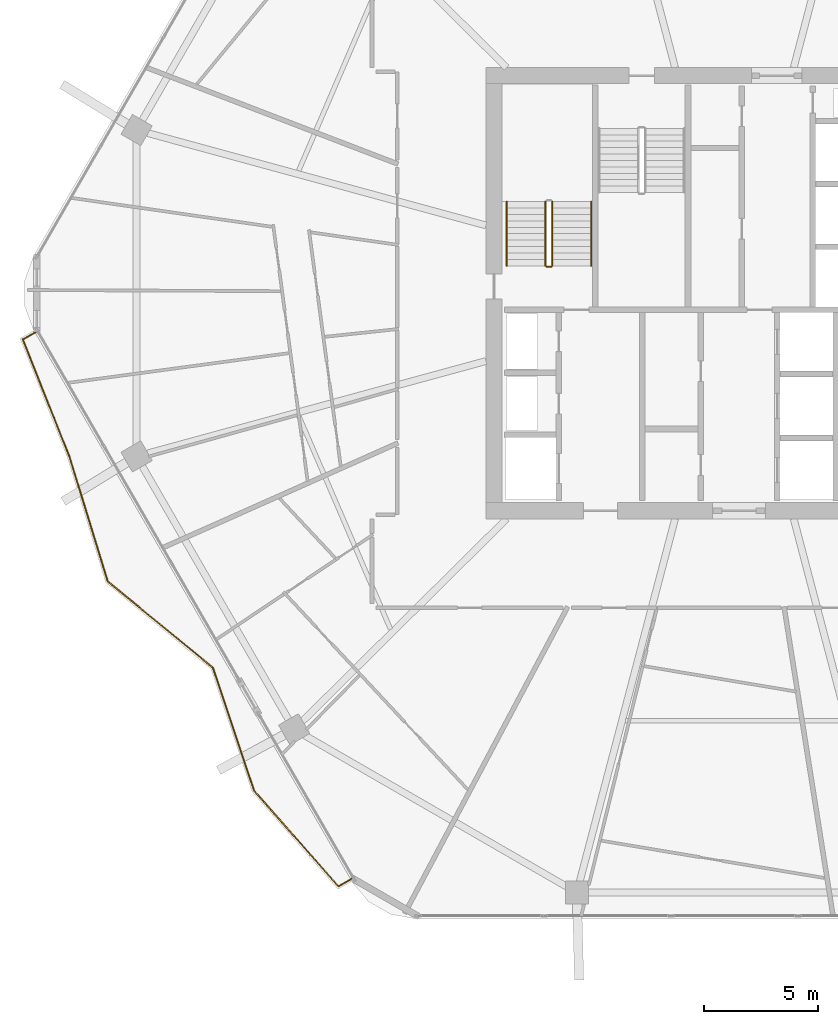
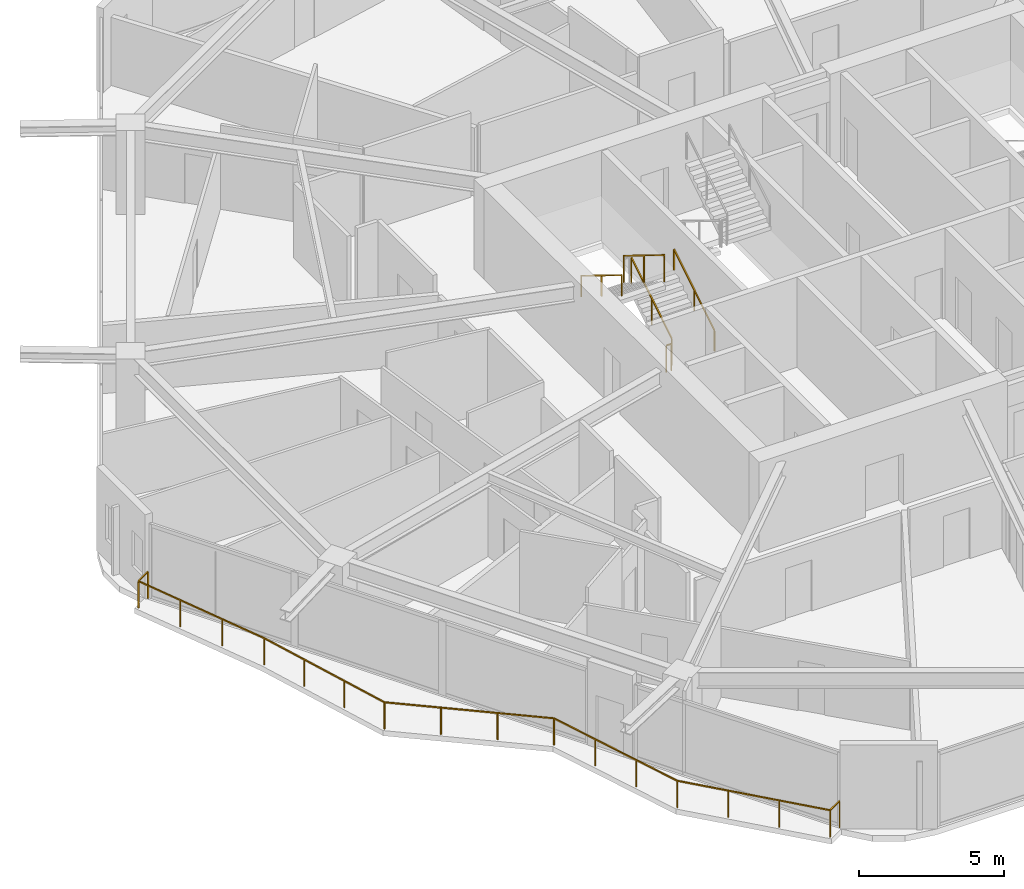
# One storey, part 23 of 25: 6 railings.
"""IFC4 building model written with IfcOpenShell, lengths in metres."""

from ifc_helpers import new_model, si_unit, direction, frame, origin, origin_2d, place, context, subcontext, project, spatial, rectangle, extrude, material, type_object, element, save


model = new_model("IFC4")

# Units and contexts
model_context = context("Model", 3, precision=1e-05, world=origin(), true_north=direction((0.0, 1.0)))
body_context = subcontext(model_context, "Body", "Model", "MODEL_VIEW")
ifc_project = project(units=[si_unit("LENGTHUNIT", "METRE"), si_unit("AREAUNIT", "SQUARE_METRE"), si_unit("VOLUMEUNIT", "CUBIC_METRE"), si_unit("PLANEANGLEUNIT", "RADIAN"), si_unit("MASSUNIT", "GRAM", prefix="KILO")], contexts=[model_context])

# Site, building, storey
site_placement = place(None, origin())
site = spatial("IfcSite", under=ifc_project, at=site_placement, CompositionType="ELEMENT")
building_placement = place(site_placement, origin())
building = spatial("IfcBuilding", under=site, at=building_placement, Name="Zuhravey Tower", CompositionType="ELEMENT")
storey_placement = place(building_placement, frame((0.0, 0.0, 180.800048828125)))
storey = spatial("IfcBuildingStorey", under=building, at=storey_placement, Name="L45", CompositionType="ELEMENT", Elevation=180.800048828125)

# Railings
ifc_material_1 = material(Name="Stainless steel 316 and laminated glass", Category="steel")
railing_type_1 = type_object("IfcRailingType", Name="Balcony & Terrace Guardrail 1150", PredefinedType="BALUSTRADE", material=ifc_material_1)
railing_1_placement = place(storey_placement, frame((19.280029296875, 6.423583984375, 0.0)))
element("IfcRailing", 1, at=railing_1_placement, inside=storey, type_object=railing_type_1, Name="L45 Face 4 Wave Balcony Guardrail GR1", PredefinedType="BALUSTRADE", context=body_context, shape_type="SweptSolid", body=[
    extrude(rectangle(XDim=0.048095703125, YDim=0.048095703125, at=origin_2d()), frame((-0.001708984375, -0.0009765625, 1.1259765625), z_axis=(-0.865950774653, -0.500129239174, 0.0), x_axis=(0.500129239174, -0.865950774653, 0.0)), (0.0, 0.0, 1.0), 0.654052734375),
    extrude(rectangle(XDim=0.048095703125, YDim=0.048095703125, at=origin_2d()), frame((-0.571044921875, -0.32763671875, 1.1259765625), z_axis=(-0.661768139209, 0.749708563328, 0.0), x_axis=(-0.749708563328, -0.661768139209, 0.0)), (0.0, 0.0, 1.0), 5.562255859375),
    extrude(rectangle(XDim=0.048095703125, YDim=0.048095703125, at=origin_2d()), frame((-4.254150390625, 3.845947265625, 1.1259765625), z_axis=(-0.318033222645, 0.948079569073, 0.0), x_axis=(-0.948079569073, -0.318033222645, 0.0)), (0.0, 0.0, 1.0), 5.673583984375),
    extrude(rectangle(XDim=0.048095703125, YDim=0.048095703125, at=origin_2d()), frame((-6.060546875, 9.22802734375, 1.1259765625), z_axis=(-0.773067681226, 0.634323545396, 0.0), x_axis=(-0.634323545396, -0.773067681226, 0.0)), (0.0, 0.0, 1.0), 5.931396484375),
    extrude(rectangle(XDim=0.048095703125, YDim=0.048095703125, at=origin_2d()), frame((-10.64794921875, 12.99365234375, 1.1259765625), z_axis=(-0.293795570332, 0.955868276936, 0.0), x_axis=(-0.955868276936, -0.293795570332, 0.0)), (0.0, 0.0, 1.0), 5.669921875),
    extrude(rectangle(XDim=0.048095703125, YDim=0.048095703125, at=origin_2d()), frame((-12.315185546875, 18.417236328125, 1.1259765625), z_axis=(-0.368955037235, 0.929447244602, 0.0), x_axis=(-0.929447244602, -0.368955037235, 0.0)), (0.0, 0.0, 1.0), 5.529296875),
    extrude(rectangle(XDim=0.048095703125, YDim=0.048095703125, at=origin_2d()), frame((-14.354248046875, 23.55908203125, 1.1259765625), z_axis=(0.866073599808, 0.499916512745, 0.0), x_axis=(-0.499916512745, 0.866073599808, 0.0)), (0.0, 0.0, 1.0), 0.6494140625),
    extrude(rectangle(XDim=0.0419921875, YDim=0.0419921875, at=origin_2d()), origin(), (0.0, 0.0, 1.0), 1.099853515625),
    extrude(rectangle(XDim=0.0419921875, YDim=0.0419921875, at=origin_2d()), frame((-0.56982421875, -0.3291015625, 0.0)), (0.0, 0.0, 1.0), 1.099853515625),
    extrude(rectangle(XDim=0.0419921875, YDim=0.0419921875, at=origin_2d()), frame((-1.797607421875, 1.06201171875, 0.0)), (0.0, 0.0, 1.0), 1.099853515625),
    extrude(rectangle(XDim=0.0419921875, YDim=0.0419921875, at=origin_2d()), frame((-3.025634765625, 2.452880859375, 0.0)), (0.0, 0.0, 1.0), 1.099853515625),
    extrude(rectangle(XDim=0.0419921875, YDim=0.0419921875, at=origin_2d()), frame((-4.25341796875, 3.843994140625, 0.0)), (0.0, 0.0, 1.0), 1.099853515625),
    extrude(rectangle(XDim=0.0419921875, YDim=0.0419921875, at=origin_2d()), frame((-4.855224609375, 5.63818359375, 0.0)), (0.0, 0.0, 1.0), 1.099853515625),
    extrude(rectangle(XDim=0.0419921875, YDim=0.0419921875, at=origin_2d()), frame((-5.457275390625, 7.4326171875, 0.0)), (0.0, 0.0, 1.0), 1.099853515625),
    extrude(rectangle(XDim=0.0419921875, YDim=0.0419921875, at=origin_2d()), frame((-6.05908203125, 9.226806640625, 0.0)), (0.0, 0.0, 1.0), 1.099853515625),
    extrude(rectangle(XDim=0.0419921875, YDim=0.0419921875, at=origin_2d()), frame((-7.588623046875, 10.481689453125, 0.0)), (0.0, 0.0, 1.0), 1.099853515625),
    extrude(rectangle(XDim=0.0419921875, YDim=0.0419921875, at=origin_2d()), frame((-9.117919921875, 11.73681640625, 0.0)), (0.0, 0.0, 1.0), 1.099853515625),
    extrude(rectangle(XDim=0.0419921875, YDim=0.0419921875, at=origin_2d()), frame((-10.6474609375, 12.99169921875, 0.0)), (0.0, 0.0, 1.0), 1.099853515625),
    extrude(rectangle(XDim=0.0419921875, YDim=0.0419921875, at=origin_2d()), frame((-11.203125, 14.799560546875, 0.0)), (0.0, 0.0, 1.0), 1.099853515625),
    extrude(rectangle(XDim=0.0419921875, YDim=0.0419921875, at=origin_2d()), frame((-11.7587890625, 16.607421875, 0.0)), (0.0, 0.0, 1.0), 1.099853515625),
    extrude(rectangle(XDim=0.0419921875, YDim=0.0419921875, at=origin_2d()), frame((-12.314453125, 18.415283203125, 0.0)), (0.0, 0.0, 1.0), 1.099853515625),
    extrude(rectangle(XDim=0.0419921875, YDim=0.0419921875, at=origin_2d()), frame((-12.994873046875, 20.129638671875, 0.0)), (0.0, 0.0, 1.0), 1.099853515625),
    extrude(rectangle(XDim=0.0419921875, YDim=0.0419921875, at=origin_2d()), frame((-13.675537109375, 21.84375, 0.0)), (0.0, 0.0, 1.0), 1.099853515625),
    extrude(rectangle(XDim=0.0419921875, YDim=0.0419921875, at=origin_2d()), frame((-14.35595703125, 23.55810546875, 0.0)), (0.0, 0.0, 1.0), 1.099853515625),
    extrude(rectangle(XDim=0.0419921875, YDim=0.0419921875, at=origin_2d()), frame((-13.7900390625, 23.884765625, 0.0)), (0.0, 0.0, 1.0), 1.099853515625),
])
ifc_material_2 = material(Name="Brushed stainless steel", Category="steel")
railing_type_2 = type_object("IfcRailingType", Name="Stair Wall Handrail 900", PredefinedType="HANDRAIL", material=ifc_material_2)
railing_2_placement = place(storey_placement, frame((29.75, 33.199951171875, 0.172607421875)))
element("IfcRailing", 2, at=railing_2_placement, inside=storey, type_object=railing_type_2, Name="L45 ST1 stair handrail 1", PredefinedType="HANDRAIL", context=body_context, shape_type="SweptSolid", body=[
    extrude(rectangle(XDim=0.048095703125, YDim=0.048095703125, at=origin_2d()), frame((0.0, 0.001708984375, 0.876953125), z_axis=(0.0, 0.851089632645, 0.525020415988), x_axis=(-1.0, 0.0, 0.0)), (0.0, 0.0, 1.0), 3.285888671875),
    extrude(rectangle(XDim=0.0419921875, YDim=0.0419921875, at=origin_2d()), origin(), (0.0, 0.0, 1.0), 0.849853515625),
    extrude(rectangle(XDim=0.0419921875, YDim=0.0419921875, at=origin_2d()), frame((0.0, 1.39990234375, 0.86376953125)), (0.0, 0.0, 1.0), 0.849853515625),
    extrude(rectangle(XDim=0.0419921875, YDim=0.0419921875, at=origin_2d()), frame((0.0, 2.800048828125, 1.727294921875)), (0.0, 0.0, 1.0), 0.849853515625),
])
railing_3_placement = place(storey_placement, frame((26.050048828125, 36.0, 2.07275390625)))
element("IfcRailing", 3, at=railing_3_placement, inside=storey, type_object=railing_type_2, Name="L45 ST1 stair handrail 2", PredefinedType="HANDRAIL", context=body_context, shape_type="SweptSolid", body=[
    extrude(rectangle(XDim=0.048095703125, YDim=0.048095703125, at=origin_2d()), frame((0.0, -0.001708984375, 0.876953125), z_axis=(0.0, -0.851089632645, 0.525020415988), x_axis=(1.0, 0.0, 0.0)), (0.0, 0.0, 1.0), 3.285888671875),
    extrude(rectangle(XDim=0.0419921875, YDim=0.0419921875, at=origin_2d()), origin(), (0.0, 0.0, 1.0), 0.849853515625),
    extrude(rectangle(XDim=0.0419921875, YDim=0.0419921875, at=origin_2d()), frame((0.0, -1.39990234375, 0.86376953125)), (0.0, 0.0, 1.0), 0.849853515625),
    extrude(rectangle(XDim=0.0419921875, YDim=0.0419921875, at=origin_2d()), frame((0.0, -2.800048828125, 1.727294921875)), (0.0, 0.0, 1.0), 0.849853515625),
])
ifc_material_3 = material(Name="Painted tubular steel", Category="steel")
railing_type_3 = type_object("IfcRailingType", Name="Stair Well Guardrail 1150", PredefinedType="GUARDRAIL", material=ifc_material_3)
railing_4_placement = place(storey_placement, frame((28.050048828125, 33.199951171875, 0.172607421875)))
element("IfcRailing", 4, at=railing_4_placement, inside=storey, type_object=railing_type_3, Name="L45 ST1 stair guard 1", PredefinedType="GUARDRAIL", context=body_context, shape_type="SweptSolid", body=[
    extrude(rectangle(XDim=0.048095703125, YDim=0.048095703125, at=origin_2d()), frame((0.0, 0.001708984375, 1.126953125), z_axis=(0.0, 0.851089632645, 0.525020415988), x_axis=(-1.0, 0.0, 0.0)), (0.0, 0.0, 1.0), 3.285888671875),
    extrude(rectangle(XDim=0.0419921875, YDim=0.0419921875, at=origin_2d()), origin(), (0.0, 0.0, 1.0), 1.099853515625),
    extrude(rectangle(XDim=0.0419921875, YDim=0.0419921875, at=origin_2d()), frame((0.0, 1.39990234375, 0.86376953125)), (0.0, 0.0, 1.0), 1.099853515625),
    extrude(rectangle(XDim=0.0419921875, YDim=0.0419921875, at=origin_2d()), frame((0.0, 2.800048828125, 1.727294921875)), (0.0, 0.0, 1.0), 1.099853515625),
])
railing_5_placement = place(storey_placement, frame((27.75, 36.0, 2.07275390625)))
element("IfcRailing", 5, at=railing_5_placement, inside=storey, type_object=railing_type_3, Name="L45 ST1 stair guard 3", PredefinedType="GUARDRAIL", context=body_context, shape_type="SweptSolid", body=[
    extrude(rectangle(XDim=0.048095703125, YDim=0.048095703125, at=origin_2d()), frame((0.0, -0.001708984375, 1.126953125), z_axis=(0.0, -0.851089632645, 0.525020415988), x_axis=(1.0, 0.0, 0.0)), (0.0, 0.0, 1.0), 3.285888671875),
    extrude(rectangle(XDim=0.0419921875, YDim=0.0419921875, at=origin_2d()), origin(), (0.0, 0.0, 1.0), 1.099853515625),
    extrude(rectangle(XDim=0.0419921875, YDim=0.0419921875, at=origin_2d()), frame((0.0, -1.39990234375, 0.86376953125)), (0.0, 0.0, 1.0), 1.099853515625),
    extrude(rectangle(XDim=0.0419921875, YDim=0.0419921875, at=origin_2d()), frame((0.0, -2.800048828125, 1.727294921875)), (0.0, 0.0, 1.0), 1.099853515625),
])
railing_6_placement = place(storey_placement, frame((28.0, 33.14990234375, 0.0)))
element("IfcRailing", 6, at=railing_6_placement, inside=storey, type_object=railing_type_3, Name="L45 ST1 stair guard 4", PredefinedType="GUARDRAIL", context=body_context, shape_type="SweptSolid", body=[
    extrude(rectangle(XDim=0.048095703125, YDim=0.048095703125, at=origin_2d()), frame((-0.001953125, 0.0, 1.1259765625), z_axis=(-1.0, 0.0, 0.0), x_axis=(0.0, -1.0, 0.0)), (0.0, 0.0, 1.0), 0.196044921875),
    extrude(rectangle(XDim=0.0419921875, YDim=0.0419921875, at=origin_2d()), origin(), (0.0, 0.0, 1.0), 1.099853515625),
    extrude(rectangle(XDim=0.0419921875, YDim=0.0419921875, at=origin_2d()), frame((-0.199951171875, 0.0, 0.0)), (0.0, 0.0, 1.0), 1.099853515625),
])

save(model, "model.ifc")
